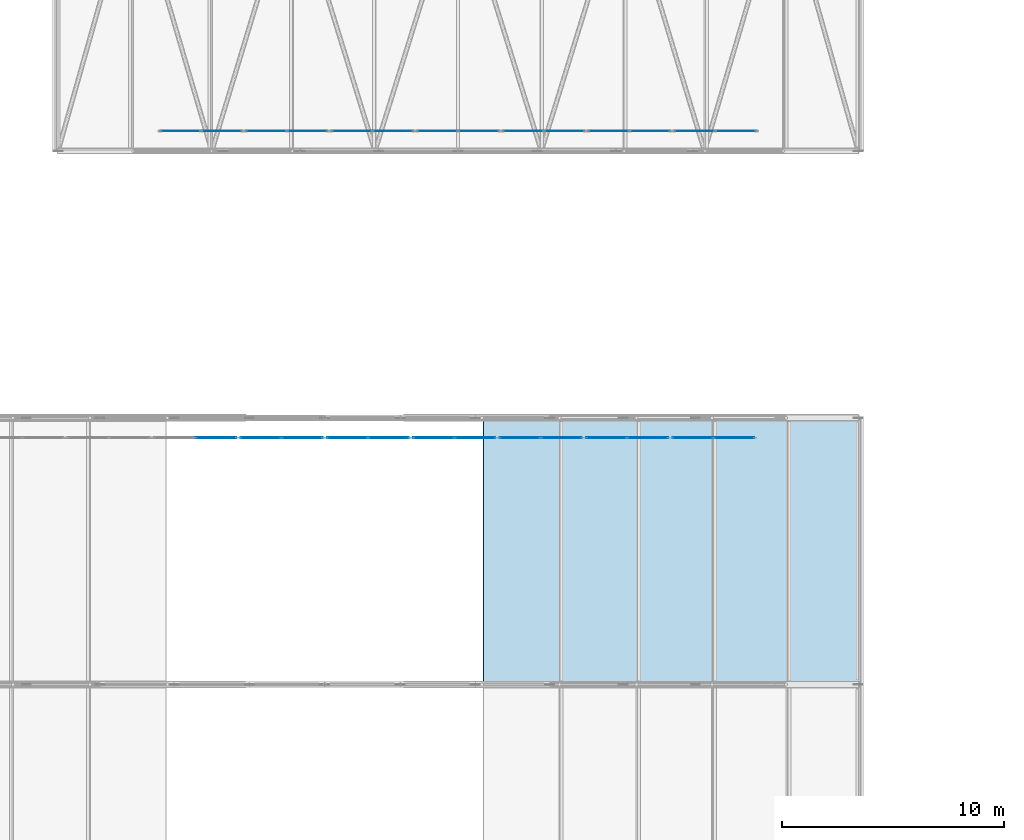
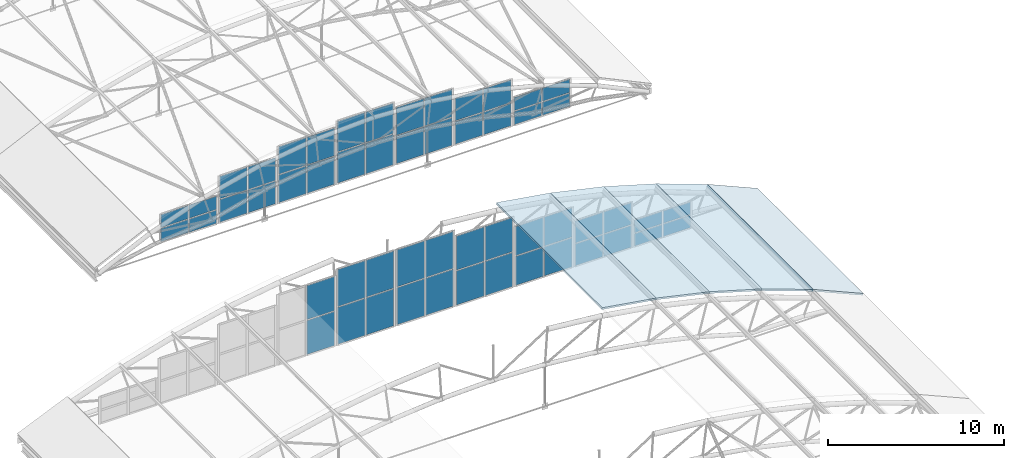
# One storey, part 250 of 321: 54 plates, 5 slabs, 14 elements without a shape of their own.
"""IFC4 building model written with IfcOpenShell, lengths in metres."""

from ifc_helpers import new_model, si_unit, direction, frame, origin, origin_2d, place, context, subcontext, project, spatial, polyline, rectangle, outline, extrude, material, layer, layer_set, type_object, element, aggregate, save


model = new_model("IFC4")

# Units and contexts
model_context = context("Model", 3, precision=1e-05, world=origin(), true_north=direction((0.0, 1.0)))
body_context = subcontext(model_context, "Body", "Model", "MODEL_VIEW")
ifc_project = project(units=[si_unit("LENGTHUNIT", "METRE"), si_unit("AREAUNIT", "SQUARE_METRE"), si_unit("VOLUMEUNIT", "CUBIC_METRE"), si_unit("PLANEANGLEUNIT", "RADIAN"), si_unit("MASSUNIT", "GRAM", prefix="KILO")], contexts=[model_context])

# Site, building, storey
site_placement = place(None, origin())
site = spatial("IfcSite", under=ifc_project, at=site_placement, CompositionType="ELEMENT")
building_placement = place(site_placement, origin())
building = spatial("IfcBuilding", under=site, at=building_placement, Name="Ravi Spectrum Wholesale Market", CompositionType="ELEMENT")
storey_placement = place(building_placement, frame((0.0, 0.0, 10.800048828125)))
storey = spatial("IfcBuildingStorey", under=building, at=storey_placement, Name="L02", CompositionType="ELEMENT", Elevation=10.800048828125)

# Curtain wall, plate
ifc_material_1 = material(Name="Aluminium 6063-T6", Category="aluminium")
ifc_layer_1 = layer(ifc_material_1, 0.14990234375)
ifc_layer_set_1 = layer_set([ifc_layer_1], Name="Aluminium 6063-T6")
curtain_wall_type = type_object("IfcCurtainWallType", Name="Curtain wall 150", PredefinedType="NOTDEFINED", material=ifc_layer_set_1)
curtain_wall_1_placement = place(storey_placement, origin())
curtain_wall_1 = element("IfcCurtainWall", 1, at=curtain_wall_1_placement, inside=storey, type_object=curtain_wall_type, Name="H2-CW-L02-014", PredefinedType="NOTDEFINED")
ifc_material_2 = material(Name="Toughened glass", Category="glass")
ifc_layer_2 = layer(ifc_material_2, 0.028076171875)
ifc_layer_set_2 = layer_set([ifc_layer_2], Name="Toughened glass")
plate_type_1 = type_object("IfcPlateType", Name="Glazing panel 28", PredefinedType="CURTAIN_PANEL", material=ifc_layer_set_2)
plate_1_placement = place(storey_placement, frame((169.107421875, 125.10009765625, 0.06005859375), z_axis=(0.0, 0.0, 1.0), x_axis=(1.0, 0.0, 0.0)))
plate_1 = element("IfcPlate", 2, at=plate_1_placement, type_object=plate_type_1, Name="H2-CW-L02-014 panel 2.1", PredefinedType="CURTAIN_PANEL", context=body_context, shape_type="SweptSolid", body=[
    extrude(rectangle(XDim=1.81298828125, YDim=0.028076171875, at=origin_2d()), origin(), (0.0, 0.0, 1.0), 2.360107421875),
])

# Curtain wall, plates
curtain_wall_2_placement = place(storey_placement, origin())
curtain_wall_2 = element("IfcCurtainWall", 3, at=curtain_wall_2_placement, inside=storey, type_object=curtain_wall_type, Name="H2-CW-L02-015", PredefinedType="NOTDEFINED")
plate_2_placement = place(storey_placement, frame((171.120361328125, 125.10009765625, 0.059814453125), z_axis=(0.0, 0.0, 1.0), x_axis=(1.0, 0.0, 0.0)))
plate_2 = element("IfcPlate", 4, at=plate_2_placement, type_object=plate_type_1, Name="H2-CW-L02-015 panel 1.1", PredefinedType="CURTAIN_PANEL", context=body_context, shape_type="SweptSolid", body=[
    extrude(rectangle(XDim=1.81298828125, YDim=0.028076171875, at=origin_2d()), origin(), (0.0, 0.0, 1.0), 2.56005859375),
])
plate_3_placement = place(storey_placement, frame((172.993408203125, 125.10009765625, 0.059814453125), z_axis=(0.0, 0.0, 1.0), x_axis=(1.0, 0.0, 0.0)))
plate_3 = element("IfcPlate", 5, at=plate_3_placement, type_object=plate_type_1, Name="H2-CW-L02-015 panel 2.1", PredefinedType="CURTAIN_PANEL", context=body_context, shape_type="SweptSolid", body=[
    extrude(rectangle(XDim=1.81298828125, YDim=0.028076171875, at=origin_2d()), origin(), (0.0, 0.0, 1.0), 2.56005859375),
])

curtain_wall_3_placement = place(storey_placement, origin())
curtain_wall_3 = element("IfcCurtainWall", 6, at=curtain_wall_3_placement, inside=storey, type_object=curtain_wall_type, Name="H2-CW-L02-016", PredefinedType="NOTDEFINED")
plate_4_placement = place(storey_placement, frame((175.006591796875, 125.10009765625, 0.059814453125), z_axis=(0.0, 0.0, 1.0), x_axis=(1.0, 0.0, 0.0)))
plate_4 = element("IfcPlate", 7, at=plate_4_placement, type_object=plate_type_1, Name="H2-CW-L02-016 panel 1.1", PredefinedType="CURTAIN_PANEL", context=body_context, shape_type="SweptSolid", body=[
    extrude(rectangle(XDim=1.81298828125, YDim=0.028076171875, at=origin_2d()), origin(), (0.0, 0.0, 1.0), 2.56005859375),
])
plate_5_placement = place(storey_placement, frame((176.879638671875, 125.10009765625, 0.059814453125), z_axis=(0.0, 0.0, 1.0), x_axis=(1.0, 0.0, 0.0)))
plate_5 = element("IfcPlate", 8, at=plate_5_placement, type_object=plate_type_1, Name="H2-CW-L02-016 panel 2.1", PredefinedType="CURTAIN_PANEL", context=body_context, shape_type="SweptSolid", body=[
    extrude(rectangle(XDim=1.81298828125, YDim=0.028076171875, at=origin_2d()), origin(), (0.0, 0.0, 1.0), 2.56005859375),
])

curtain_wall_4_placement = place(storey_placement, origin())
curtain_wall_4 = element("IfcCurtainWall", 9, at=curtain_wall_4_placement, inside=storey, type_object=curtain_wall_type, Name="H2-CW-L02-017", PredefinedType="NOTDEFINED")
plate_6_placement = place(storey_placement, frame((178.892578125, 125.10009765625, 0.06005859375), z_axis=(0.0, 0.0, 1.0), x_axis=(1.0, 0.0, 0.0)))
plate_6 = element("IfcPlate", 10, at=plate_6_placement, type_object=plate_type_1, Name="H2-CW-L02-017 panel 1.1", PredefinedType="CURTAIN_PANEL", context=body_context, shape_type="SweptSolid", body=[
    extrude(rectangle(XDim=1.81298828125, YDim=0.028076171875, at=origin_2d()), origin(), (0.0, 0.0, 1.0), 2.360107421875),
])
plate_7_placement = place(storey_placement, frame((180.765625, 125.10009765625, 0.06005859375), z_axis=(0.0, 0.0, 1.0), x_axis=(1.0, 0.0, 0.0)))
plate_7 = element("IfcPlate", 11, at=plate_7_placement, type_object=plate_type_1, Name="H2-CW-L02-017 panel 2.1", PredefinedType="CURTAIN_PANEL", context=body_context, shape_type="SweptSolid", body=[
    extrude(rectangle(XDim=1.81298828125, YDim=0.028076171875, at=origin_2d()), origin(), (0.0, 0.0, 1.0), 2.360107421875),
])

curtain_wall_5_placement = place(storey_placement, origin())
curtain_wall_5 = element("IfcCurtainWall", 12, at=curtain_wall_5_placement, inside=storey, type_object=curtain_wall_type, Name="H2-CW-L02-018", PredefinedType="NOTDEFINED")
plate_8_placement = place(storey_placement, frame((182.77880859375, 125.10009765625, 0.06005859375), z_axis=(0.0, 0.0, 1.0), x_axis=(1.0, 0.0, 0.0)))
plate_8 = element("IfcPlate", 13, at=plate_8_placement, type_object=plate_type_1, Name="H2-CW-L02-018 panel 1.1", PredefinedType="CURTAIN_PANEL", context=body_context, shape_type="SweptSolid", body=[
    extrude(rectangle(XDim=1.81298828125, YDim=0.028076171875, at=origin_2d()), origin(), (0.0, 0.0, 1.0), 2.010009765625),
])
plate_9_placement = place(storey_placement, frame((184.65185546875, 125.10009765625, 0.06005859375), z_axis=(0.0, 0.0, 1.0), x_axis=(1.0, 0.0, 0.0)))
plate_9 = element("IfcPlate", 14, at=plate_9_placement, type_object=plate_type_1, Name="H2-CW-L02-018 panel 2.1", PredefinedType="CURTAIN_PANEL", context=body_context, shape_type="SweptSolid", body=[
    extrude(rectangle(XDim=1.81298828125, YDim=0.028076171875, at=origin_2d()), origin(), (0.0, 0.0, 1.0), 2.010009765625),
])

curtain_wall_6_placement = place(storey_placement, origin())
curtain_wall_6 = element("IfcCurtainWall", 15, at=curtain_wall_6_placement, inside=storey, type_object=curtain_wall_type, Name="H2-CW-L02-019", PredefinedType="NOTDEFINED")
plate_10_placement = place(storey_placement, frame((186.6650390625, 125.10009765625, 0.06005859375), z_axis=(0.0, 0.0, 1.0), x_axis=(1.0, 0.0, 0.0)))
plate_10 = element("IfcPlate", 16, at=plate_10_placement, type_object=plate_type_1, Name="H2-CW-L02-019 panel 1.1", PredefinedType="CURTAIN_PANEL", context=body_context, shape_type="SweptSolid", body=[
    extrude(rectangle(XDim=1.81298828125, YDim=0.028076171875, at=origin_2d()), origin(), (0.0, 0.0, 1.0), 1.510009765625),
])
plate_11_placement = place(storey_placement, frame((188.5380859375, 125.10009765625, 0.06005859375), z_axis=(0.0, 0.0, 1.0), x_axis=(1.0, 0.0, 0.0)))
plate_11 = element("IfcPlate", 17, at=plate_11_placement, type_object=plate_type_1, Name="H2-CW-L02-019 panel 2.1", PredefinedType="CURTAIN_PANEL", context=body_context, shape_type="SweptSolid", body=[
    extrude(rectangle(XDim=1.81298828125, YDim=0.028076171875, at=origin_2d()), origin(), (0.0, 0.0, 1.0), 1.510009765625),
])

curtain_wall_7_placement = place(storey_placement, origin())
curtain_wall_7 = element("IfcCurtainWall", 18, at=curtain_wall_7_placement, inside=storey, type_object=curtain_wall_type, Name="H2-CW-L02-020", PredefinedType="NOTDEFINED")
plate_12_placement = place(storey_placement, frame((190.551025390625, 125.10009765625, 0.97998046875), z_axis=(0.0, 0.0, 1.0), x_axis=(1.0, 0.0, 0.0)))
plate_12 = element("IfcPlate", 19, at=plate_12_placement, type_object=plate_type_1, Name="H2-CW-L02-020 panel 1.2", PredefinedType="CURTAIN_PANEL", context=body_context, shape_type="SweptSolid", body=[
    extrude(rectangle(XDim=1.81298828125, YDim=0.028076171875, at=origin_2d()), origin(), (0.0, 0.0, 1.0), 0.860107421875),
])
plate_13_placement = place(storey_placement, frame((192.424072265625, 125.10009765625, 0.97998046875), z_axis=(0.0, 0.0, 1.0), x_axis=(1.0, 0.0, 0.0)))
plate_13 = element("IfcPlate", 20, at=plate_13_placement, type_object=plate_type_1, Name="H2-CW-L02-020 panel 2.2", PredefinedType="CURTAIN_PANEL", context=body_context, shape_type="SweptSolid", body=[
    extrude(rectangle(XDim=1.81298828125, YDim=0.028076171875, at=origin_2d()), origin(), (0.0, 0.0, 1.0), 0.860107421875),
])

curtain_wall_8_placement = place(storey_placement, origin())
curtain_wall_8 = element("IfcCurtainWall", 21, at=curtain_wall_8_placement, inside=storey, type_object=curtain_wall_type, Name="H3-CW-L02-001", PredefinedType="NOTDEFINED")
plate_14_placement = place(storey_placement, frame((167.510009765625, 138.89990234375, 0.06005859375), z_axis=(0.0, 0.0, 1.0), x_axis=(1.0, 0.0, 0.0)))
plate_14 = element("IfcPlate", 22, at=plate_14_placement, type_object=plate_type_1, Name="H3-CW-L02-001 panel 1.1", PredefinedType="CURTAIN_PANEL", context=body_context, shape_type="SweptSolid", body=[
    extrude(rectangle(XDim=1.796875, YDim=0.028076171875, at=origin_2d()), origin(), (0.0, 0.0, 1.0), 0.909912109375),
])
plate_15_placement = place(storey_placement, frame((167.510009765625, 138.89990234375, 1.02978515625), z_axis=(0.0, 0.0, 1.0), x_axis=(1.0, 0.0, 0.0)))
plate_15 = element("IfcPlate", 23, at=plate_15_placement, type_object=plate_type_1, Name="H3-CW-L02-001 panel 1.2", PredefinedType="CURTAIN_PANEL", context=body_context, shape_type="SweptSolid", body=[
    extrude(rectangle(XDim=1.796875, YDim=0.028076171875, at=origin_2d()), origin(), (0.0, 0.0, 1.0), 0.909912109375),
])
plate_16_placement = place(storey_placement, frame((169.366943359375, 138.89990234375, 0.06005859375), z_axis=(0.0, 0.0, 1.0), x_axis=(1.0, 0.0, 0.0)))
plate_16 = element("IfcPlate", 24, at=plate_16_placement, type_object=plate_type_1, Name="H3-CW-L02-001 panel 2.1", PredefinedType="CURTAIN_PANEL", context=body_context, shape_type="SweptSolid", body=[
    extrude(rectangle(XDim=1.796875, YDim=0.028076171875, at=origin_2d()), origin(), (0.0, 0.0, 1.0), 0.909912109375),
])
plate_17_placement = place(storey_placement, frame((169.366943359375, 138.89990234375, 1.02978515625), z_axis=(0.0, 0.0, 1.0), x_axis=(1.0, 0.0, 0.0)))
plate_17 = element("IfcPlate", 25, at=plate_17_placement, type_object=plate_type_1, Name="H3-CW-L02-001 panel 2.2", PredefinedType="CURTAIN_PANEL", context=body_context, shape_type="SweptSolid", body=[
    extrude(rectangle(XDim=1.796875, YDim=0.028076171875, at=origin_2d()), origin(), (0.0, 0.0, 1.0), 0.909912109375),
])
aggregate(curtain_wall_8, [plate_14, plate_15, plate_16, plate_17])

curtain_wall_9_placement = place(storey_placement, origin())
curtain_wall_9 = element("IfcCurtainWall", 26, at=curtain_wall_9_placement, inside=storey, type_object=curtain_wall_type, Name="H3-CW-L02-002", PredefinedType="NOTDEFINED")
plate_18_placement = place(storey_placement, frame((171.364013671875, 138.89990234375, 0.059814453125), z_axis=(0.0, 0.0, 1.0), x_axis=(1.0, 0.0, 0.0)))
plate_18 = element("IfcPlate", 27, at=plate_18_placement, type_object=plate_type_1, Name="H3-CW-L02-002 panel 1.1", PredefinedType="CURTAIN_PANEL", context=body_context, shape_type="SweptSolid", body=[
    extrude(rectangle(XDim=1.796875, YDim=0.028076171875, at=origin_2d()), origin(), (0.0, 0.0, 1.0), 1.56005859375),
])
plate_19_placement = place(storey_placement, frame((173.220703125, 138.89990234375, 0.059814453125), z_axis=(0.0, 0.0, 1.0), x_axis=(1.0, 0.0, 0.0)))
plate_19 = element("IfcPlate", 28, at=plate_19_placement, type_object=plate_type_1, Name="H3-CW-L02-002 panel 2.1", PredefinedType="CURTAIN_PANEL", context=body_context, shape_type="SweptSolid", body=[
    extrude(rectangle(XDim=1.796875, YDim=0.028076171875, at=origin_2d()), origin(), (0.0, 0.0, 1.0), 1.56005859375),
])

curtain_wall_10_placement = place(storey_placement, origin())
curtain_wall_10 = element("IfcCurtainWall", 29, at=curtain_wall_10_placement, inside=storey, type_object=curtain_wall_type, Name="H3-CW-L02-003", PredefinedType="NOTDEFINED")
plate_20_placement = place(storey_placement, frame((175.2177734375, 138.89990234375, 0.06005859375), z_axis=(0.0, 0.0, 1.0), x_axis=(1.0, 0.0, 0.0)))
plate_20 = element("IfcPlate", 30, at=plate_20_placement, type_object=plate_type_1, Name="H3-CW-L02-003 panel 1.1", PredefinedType="CURTAIN_PANEL", context=body_context, shape_type="SweptSolid", body=[
    extrude(rectangle(XDim=1.796875, YDim=0.028076171875, at=origin_2d()), origin(), (0.0, 0.0, 1.0), 1.909912109375),
])
plate_21_placement = place(storey_placement, frame((177.07470703125, 138.89990234375, 0.06005859375), z_axis=(0.0, 0.0, 1.0), x_axis=(1.0, 0.0, 0.0)))
plate_21 = element("IfcPlate", 31, at=plate_21_placement, type_object=plate_type_1, Name="H3-CW-L02-003 panel 2.1", PredefinedType="CURTAIN_PANEL", context=body_context, shape_type="SweptSolid", body=[
    extrude(rectangle(XDim=1.796875, YDim=0.028076171875, at=origin_2d()), origin(), (0.0, 0.0, 1.0), 1.909912109375),
])

curtain_wall_11_placement = place(storey_placement, origin())
curtain_wall_11 = element("IfcCurtainWall", 32, at=curtain_wall_11_placement, inside=storey, type_object=curtain_wall_type, Name="H3-CW-L02-004", PredefinedType="NOTDEFINED")
plate_22_placement = place(storey_placement, frame((179.071533203125, 138.89990234375, 0.06005859375), z_axis=(0.0, 0.0, 1.0), x_axis=(1.0, 0.0, 0.0)))
plate_22 = element("IfcPlate", 33, at=plate_22_placement, type_object=plate_type_1, Name="H3-CW-L02-004 panel 1.1", PredefinedType="CURTAIN_PANEL", context=body_context, shape_type="SweptSolid", body=[
    extrude(rectangle(XDim=1.796875, YDim=0.028076171875, at=origin_2d()), origin(), (0.0, 0.0, 1.0), 2.110107421875),
])
plate_23_placement = place(storey_placement, frame((180.928466796875, 138.89990234375, 0.06005859375), z_axis=(0.0, 0.0, 1.0), x_axis=(1.0, 0.0, 0.0)))
plate_23 = element("IfcPlate", 34, at=plate_23_placement, type_object=plate_type_1, Name="H3-CW-L02-004 panel 2.1", PredefinedType="CURTAIN_PANEL", context=body_context, shape_type="SweptSolid", body=[
    extrude(rectangle(XDim=1.796875, YDim=0.028076171875, at=origin_2d()), origin(), (0.0, 0.0, 1.0), 2.110107421875),
])

curtain_wall_12_placement = place(storey_placement, origin())
curtain_wall_12 = element("IfcCurtainWall", 35, at=curtain_wall_12_placement, inside=storey, type_object=curtain_wall_type, Name="H3-CW-L02-005", PredefinedType="NOTDEFINED")
plate_24_placement = place(storey_placement, frame((182.92529296875, 138.89990234375, 0.06005859375), z_axis=(0.0, 0.0, 1.0), x_axis=(1.0, 0.0, 0.0)))
plate_24 = element("IfcPlate", 36, at=plate_24_placement, type_object=plate_type_1, Name="H3-CW-L02-005 panel 1.1", PredefinedType="CURTAIN_PANEL", context=body_context, shape_type="SweptSolid", body=[
    extrude(rectangle(XDim=1.796875, YDim=0.028076171875, at=origin_2d()), origin(), (0.0, 0.0, 1.0), 1.909912109375),
])
plate_25_placement = place(storey_placement, frame((184.7822265625, 138.89990234375, 0.06005859375), z_axis=(0.0, 0.0, 1.0), x_axis=(1.0, 0.0, 0.0)))
plate_25 = element("IfcPlate", 37, at=plate_25_placement, type_object=plate_type_1, Name="H3-CW-L02-005 panel 2.1", PredefinedType="CURTAIN_PANEL", context=body_context, shape_type="SweptSolid", body=[
    extrude(rectangle(XDim=1.796875, YDim=0.028076171875, at=origin_2d()), origin(), (0.0, 0.0, 1.0), 1.909912109375),
])

curtain_wall_13_placement = place(storey_placement, origin())
curtain_wall_13 = element("IfcCurtainWall", 38, at=curtain_wall_13_placement, inside=storey, type_object=curtain_wall_type, Name="H3-CW-L02-006", PredefinedType="NOTDEFINED")
plate_26_placement = place(storey_placement, frame((186.779296875, 138.89990234375, 0.059814453125), z_axis=(0.0, 0.0, 1.0), x_axis=(1.0, 0.0, 0.0)))
plate_26 = element("IfcPlate", 39, at=plate_26_placement, type_object=plate_type_1, Name="H3-CW-L02-006 panel 1.1", PredefinedType="CURTAIN_PANEL", context=body_context, shape_type="SweptSolid", body=[
    extrude(rectangle(XDim=1.796875, YDim=0.028076171875, at=origin_2d()), origin(), (0.0, 0.0, 1.0), 1.56005859375),
])
plate_27_placement = place(storey_placement, frame((188.635986328125, 138.89990234375, 0.059814453125), z_axis=(0.0, 0.0, 1.0), x_axis=(1.0, 0.0, 0.0)))
plate_27 = element("IfcPlate", 40, at=plate_27_placement, type_object=plate_type_1, Name="H3-CW-L02-006 panel 2.1", PredefinedType="CURTAIN_PANEL", context=body_context, shape_type="SweptSolid", body=[
    extrude(rectangle(XDim=1.796875, YDim=0.028076171875, at=origin_2d()), origin(), (0.0, 0.0, 1.0), 1.56005859375),
])

curtain_wall_14_placement = place(storey_placement, origin())
curtain_wall_14 = element("IfcCurtainWall", 41, at=curtain_wall_14_placement, inside=storey, type_object=curtain_wall_type, Name="H3-CW-L02-007", PredefinedType="NOTDEFINED")
plate_28_placement = place(storey_placement, frame((190.633056640625, 138.89990234375, 0.06005859375), z_axis=(0.0, 0.0, 1.0), x_axis=(1.0, 0.0, 0.0)))
plate_28 = element("IfcPlate", 42, at=plate_28_placement, type_object=plate_type_1, Name="H3-CW-L02-007 panel 1.1", PredefinedType="CURTAIN_PANEL", context=body_context, shape_type="SweptSolid", body=[
    extrude(rectangle(XDim=1.796875, YDim=0.028076171875, at=origin_2d()), origin(), (0.0, 0.0, 1.0), 0.909912109375),
])
plate_29_placement = place(storey_placement, frame((190.633056640625, 138.89990234375, 1.02978515625), z_axis=(0.0, 0.0, 1.0), x_axis=(1.0, 0.0, 0.0)))
plate_29 = element("IfcPlate", 43, at=plate_29_placement, type_object=plate_type_1, Name="H3-CW-L02-007 panel 1.2", PredefinedType="CURTAIN_PANEL", context=body_context, shape_type="SweptSolid", body=[
    extrude(rectangle(XDim=1.796875, YDim=0.028076171875, at=origin_2d()), origin(), (0.0, 0.0, 1.0), 0.909912109375),
])
plate_30_placement = place(storey_placement, frame((192.489990234375, 138.89990234375, 0.06005859375), z_axis=(0.0, 0.0, 1.0), x_axis=(1.0, 0.0, 0.0)))
plate_30 = element("IfcPlate", 44, at=plate_30_placement, type_object=plate_type_1, Name="H3-CW-L02-007 panel 2.1", PredefinedType="CURTAIN_PANEL", context=body_context, shape_type="SweptSolid", body=[
    extrude(rectangle(XDim=1.796875, YDim=0.028076171875, at=origin_2d()), origin(), (0.0, 0.0, 1.0), 0.909912109375),
])
plate_31_placement = place(storey_placement, frame((192.489990234375, 138.89990234375, 1.02978515625), z_axis=(0.0, 0.0, 1.0), x_axis=(1.0, 0.0, 0.0)))
plate_31 = element("IfcPlate", 45, at=plate_31_placement, type_object=plate_type_1, Name="H3-CW-L02-007 panel 2.2", PredefinedType="CURTAIN_PANEL", context=body_context, shape_type="SweptSolid", body=[
    extrude(rectangle(XDim=1.796875, YDim=0.028076171875, at=origin_2d()), origin(), (0.0, 0.0, 1.0), 0.909912109375),
])
aggregate(curtain_wall_14, [plate_28, plate_29, plate_30, plate_31])

# Plate
ifc_material_3 = material(Name="Insulated panel")
ifc_layer_3 = layer(ifc_material_3, 0.028076171875)
ifc_layer_set_3 = layer_set([ifc_layer_3], Name="Insulated panel")
plate_type_2 = type_object("IfcPlateType", Name="Opaque insulated panel 28", PredefinedType="CURTAIN_PANEL", material=ifc_layer_set_3)
plate_32_placement = place(storey_placement, frame((169.107421875, 125.10009765625, 2.47998046875), z_axis=(0.0, 0.0, 1.0), x_axis=(1.0, 0.0, 0.0)))
plate_32 = element("IfcPlate", 46, at=plate_32_placement, type_object=plate_type_2, Name="H2-CW-L02-014 panel 2.2", PredefinedType="CURTAIN_PANEL", context=body_context, shape_type="SweptSolid", body=[
    extrude(rectangle(XDim=1.81298828125, YDim=0.028076171875, at=origin_2d()), origin(), (0.0, 0.0, 1.0), 2.360107421875),
])

aggregate(curtain_wall_1, [plate_1, plate_32])

plate_33_placement = place(storey_placement, frame((171.120361328125, 125.10009765625, 2.679931640625), z_axis=(0.0, 0.0, 1.0), x_axis=(1.0, 0.0, 0.0)))
plate_33 = element("IfcPlate", 47, at=plate_33_placement, type_object=plate_type_2, Name="H2-CW-L02-015 panel 1.2", PredefinedType="CURTAIN_PANEL", context=body_context, shape_type="SweptSolid", body=[
    extrude(rectangle(XDim=1.81298828125, YDim=0.028076171875, at=origin_2d()), origin(), (0.0, 0.0, 1.0), 2.56005859375),
])

plate_34_placement = place(storey_placement, frame((172.993408203125, 125.10009765625, 2.679931640625), z_axis=(0.0, 0.0, 1.0), x_axis=(1.0, 0.0, 0.0)))
plate_34 = element("IfcPlate", 48, at=plate_34_placement, type_object=plate_type_2, Name="H2-CW-L02-015 panel 2.2", PredefinedType="CURTAIN_PANEL", context=body_context, shape_type="SweptSolid", body=[
    extrude(rectangle(XDim=1.81298828125, YDim=0.028076171875, at=origin_2d()), origin(), (0.0, 0.0, 1.0), 2.56005859375),
])

aggregate(curtain_wall_2, [plate_2, plate_33, plate_3, plate_34])

plate_35_placement = place(storey_placement, frame((175.006591796875, 125.10009765625, 2.679931640625), z_axis=(0.0, 0.0, 1.0), x_axis=(1.0, 0.0, 0.0)))
plate_35 = element("IfcPlate", 49, at=plate_35_placement, type_object=plate_type_2, Name="H2-CW-L02-016 panel 1.2", PredefinedType="CURTAIN_PANEL", context=body_context, shape_type="SweptSolid", body=[
    extrude(rectangle(XDim=1.81298828125, YDim=0.028076171875, at=origin_2d()), origin(), (0.0, 0.0, 1.0), 2.56005859375),
])

plate_36_placement = place(storey_placement, frame((176.879638671875, 125.10009765625, 2.679931640625), z_axis=(0.0, 0.0, 1.0), x_axis=(1.0, 0.0, 0.0)))
plate_36 = element("IfcPlate", 50, at=plate_36_placement, type_object=plate_type_2, Name="H2-CW-L02-016 panel 2.2", PredefinedType="CURTAIN_PANEL", context=body_context, shape_type="SweptSolid", body=[
    extrude(rectangle(XDim=1.81298828125, YDim=0.028076171875, at=origin_2d()), origin(), (0.0, 0.0, 1.0), 2.56005859375),
])

aggregate(curtain_wall_3, [plate_4, plate_35, plate_5, plate_36])

plate_37_placement = place(storey_placement, frame((178.892578125, 125.10009765625, 2.47998046875), z_axis=(0.0, 0.0, 1.0), x_axis=(1.0, 0.0, 0.0)))
plate_37 = element("IfcPlate", 51, at=plate_37_placement, type_object=plate_type_2, Name="H2-CW-L02-017 panel 1.2", PredefinedType="CURTAIN_PANEL", context=body_context, shape_type="SweptSolid", body=[
    extrude(rectangle(XDim=1.81298828125, YDim=0.028076171875, at=origin_2d()), origin(), (0.0, 0.0, 1.0), 2.360107421875),
])

plate_38_placement = place(storey_placement, frame((180.765625, 125.10009765625, 2.47998046875), z_axis=(0.0, 0.0, 1.0), x_axis=(1.0, 0.0, 0.0)))
plate_38 = element("IfcPlate", 52, at=plate_38_placement, type_object=plate_type_2, Name="H2-CW-L02-017 panel 2.2", PredefinedType="CURTAIN_PANEL", context=body_context, shape_type="SweptSolid", body=[
    extrude(rectangle(XDim=1.81298828125, YDim=0.028076171875, at=origin_2d()), origin(), (0.0, 0.0, 1.0), 2.360107421875),
])

aggregate(curtain_wall_4, [plate_6, plate_37, plate_7, plate_38])

plate_39_placement = place(storey_placement, frame((182.77880859375, 125.10009765625, 2.1298828125), z_axis=(0.0, 0.0, 1.0), x_axis=(1.0, 0.0, 0.0)))
plate_39 = element("IfcPlate", 53, at=plate_39_placement, type_object=plate_type_2, Name="H2-CW-L02-018 panel 1.2", PredefinedType="CURTAIN_PANEL", context=body_context, shape_type="SweptSolid", body=[
    extrude(rectangle(XDim=1.81298828125, YDim=0.028076171875, at=origin_2d()), origin(), (0.0, 0.0, 1.0), 2.010009765625),
])

plate_40_placement = place(storey_placement, frame((184.65185546875, 125.10009765625, 2.1298828125), z_axis=(0.0, 0.0, 1.0), x_axis=(1.0, 0.0, 0.0)))
plate_40 = element("IfcPlate", 54, at=plate_40_placement, type_object=plate_type_2, Name="H2-CW-L02-018 panel 2.2", PredefinedType="CURTAIN_PANEL", context=body_context, shape_type="SweptSolid", body=[
    extrude(rectangle(XDim=1.81298828125, YDim=0.028076171875, at=origin_2d()), origin(), (0.0, 0.0, 1.0), 2.010009765625),
])

aggregate(curtain_wall_5, [plate_8, plate_39, plate_9, plate_40])

plate_41_placement = place(storey_placement, frame((186.6650390625, 125.10009765625, 1.6298828125), z_axis=(0.0, 0.0, 1.0), x_axis=(1.0, 0.0, 0.0)))
plate_41 = element("IfcPlate", 55, at=plate_41_placement, type_object=plate_type_2, Name="H2-CW-L02-019 panel 1.2", PredefinedType="CURTAIN_PANEL", context=body_context, shape_type="SweptSolid", body=[
    extrude(rectangle(XDim=1.81298828125, YDim=0.028076171875, at=origin_2d()), origin(), (0.0, 0.0, 1.0), 1.510009765625),
])

plate_42_placement = place(storey_placement, frame((188.5380859375, 125.10009765625, 1.6298828125), z_axis=(0.0, 0.0, 1.0), x_axis=(1.0, 0.0, 0.0)))
plate_42 = element("IfcPlate", 56, at=plate_42_placement, type_object=plate_type_2, Name="H2-CW-L02-019 panel 2.2", PredefinedType="CURTAIN_PANEL", context=body_context, shape_type="SweptSolid", body=[
    extrude(rectangle(XDim=1.81298828125, YDim=0.028076171875, at=origin_2d()), origin(), (0.0, 0.0, 1.0), 1.510009765625),
])

aggregate(curtain_wall_6, [plate_10, plate_41, plate_11, plate_42])

plate_43_placement = place(storey_placement, frame((190.551025390625, 125.10009765625, 0.06005859375), z_axis=(0.0, 0.0, 1.0), x_axis=(1.0, 0.0, 0.0)))
plate_43 = element("IfcPlate", 57, at=plate_43_placement, type_object=plate_type_2, Name="H2-CW-L02-020 panel 1.1", PredefinedType="CURTAIN_PANEL", context=body_context, shape_type="SweptSolid", body=[
    extrude(rectangle(XDim=1.81298828125, YDim=0.028076171875, at=origin_2d()), origin(), (0.0, 0.0, 1.0), 0.860107421875),
])

plate_44_placement = place(storey_placement, frame((192.424072265625, 125.10009765625, 0.06005859375), z_axis=(0.0, 0.0, 1.0), x_axis=(1.0, 0.0, 0.0)))
plate_44 = element("IfcPlate", 58, at=plate_44_placement, type_object=plate_type_2, Name="H2-CW-L02-020 panel 2.1", PredefinedType="CURTAIN_PANEL", context=body_context, shape_type="SweptSolid", body=[
    extrude(rectangle(XDim=1.81298828125, YDim=0.028076171875, at=origin_2d()), origin(), (0.0, 0.0, 1.0), 0.860107421875),
])

aggregate(curtain_wall_7, [plate_43, plate_12, plate_44, plate_13])

plate_45_placement = place(storey_placement, frame((171.364013671875, 138.89990234375, 1.679931640625), z_axis=(0.0, 0.0, 1.0), x_axis=(1.0, 0.0, 0.0)))
plate_45 = element("IfcPlate", 59, at=plate_45_placement, type_object=plate_type_2, Name="H3-CW-L02-002 panel 1.2", PredefinedType="CURTAIN_PANEL", context=body_context, shape_type="SweptSolid", body=[
    extrude(rectangle(XDim=1.796875, YDim=0.028076171875, at=origin_2d()), origin(), (0.0, 0.0, 1.0), 1.56005859375),
])

plate_46_placement = place(storey_placement, frame((173.220703125, 138.89990234375, 1.679931640625), z_axis=(0.0, 0.0, 1.0), x_axis=(1.0, 0.0, 0.0)))
plate_46 = element("IfcPlate", 60, at=plate_46_placement, type_object=plate_type_2, Name="H3-CW-L02-002 panel 2.2", PredefinedType="CURTAIN_PANEL", context=body_context, shape_type="SweptSolid", body=[
    extrude(rectangle(XDim=1.796875, YDim=0.028076171875, at=origin_2d()), origin(), (0.0, 0.0, 1.0), 1.56005859375),
])

aggregate(curtain_wall_9, [plate_18, plate_45, plate_19, plate_46])

plate_47_placement = place(storey_placement, frame((175.2177734375, 138.89990234375, 2.02978515625), z_axis=(0.0, 0.0, 1.0), x_axis=(1.0, 0.0, 0.0)))
plate_47 = element("IfcPlate", 61, at=plate_47_placement, type_object=plate_type_2, Name="H3-CW-L02-003 panel 1.2", PredefinedType="CURTAIN_PANEL", context=body_context, shape_type="SweptSolid", body=[
    extrude(rectangle(XDim=1.796875, YDim=0.028076171875, at=origin_2d()), origin(), (0.0, 0.0, 1.0), 1.909912109375),
])

plate_48_placement = place(storey_placement, frame((177.07470703125, 138.89990234375, 2.02978515625), z_axis=(0.0, 0.0, 1.0), x_axis=(1.0, 0.0, 0.0)))
plate_48 = element("IfcPlate", 62, at=plate_48_placement, type_object=plate_type_2, Name="H3-CW-L02-003 panel 2.2", PredefinedType="CURTAIN_PANEL", context=body_context, shape_type="SweptSolid", body=[
    extrude(rectangle(XDim=1.796875, YDim=0.028076171875, at=origin_2d()), origin(), (0.0, 0.0, 1.0), 1.909912109375),
])

aggregate(curtain_wall_10, [plate_20, plate_47, plate_21, plate_48])

plate_49_placement = place(storey_placement, frame((179.071533203125, 138.89990234375, 2.22998046875), z_axis=(0.0, 0.0, 1.0), x_axis=(1.0, 0.0, 0.0)))
plate_49 = element("IfcPlate", 63, at=plate_49_placement, type_object=plate_type_2, Name="H3-CW-L02-004 panel 1.2", PredefinedType="CURTAIN_PANEL", context=body_context, shape_type="SweptSolid", body=[
    extrude(rectangle(XDim=1.796875, YDim=0.028076171875, at=origin_2d()), origin(), (0.0, 0.0, 1.0), 2.110107421875),
])

plate_50_placement = place(storey_placement, frame((180.928466796875, 138.89990234375, 2.22998046875), z_axis=(0.0, 0.0, 1.0), x_axis=(1.0, 0.0, 0.0)))
plate_50 = element("IfcPlate", 64, at=plate_50_placement, type_object=plate_type_2, Name="H3-CW-L02-004 panel 2.2", PredefinedType="CURTAIN_PANEL", context=body_context, shape_type="SweptSolid", body=[
    extrude(rectangle(XDim=1.796875, YDim=0.028076171875, at=origin_2d()), origin(), (0.0, 0.0, 1.0), 2.110107421875),
])

aggregate(curtain_wall_11, [plate_22, plate_49, plate_23, plate_50])

plate_51_placement = place(storey_placement, frame((182.92529296875, 138.89990234375, 2.02978515625), z_axis=(0.0, 0.0, 1.0), x_axis=(1.0, 0.0, 0.0)))
plate_51 = element("IfcPlate", 65, at=plate_51_placement, type_object=plate_type_2, Name="H3-CW-L02-005 panel 1.2", PredefinedType="CURTAIN_PANEL", context=body_context, shape_type="SweptSolid", body=[
    extrude(rectangle(XDim=1.796875, YDim=0.028076171875, at=origin_2d()), origin(), (0.0, 0.0, 1.0), 1.909912109375),
])

plate_52_placement = place(storey_placement, frame((184.7822265625, 138.89990234375, 2.02978515625), z_axis=(0.0, 0.0, 1.0), x_axis=(1.0, 0.0, 0.0)))
plate_52 = element("IfcPlate", 66, at=plate_52_placement, type_object=plate_type_2, Name="H3-CW-L02-005 panel 2.2", PredefinedType="CURTAIN_PANEL", context=body_context, shape_type="SweptSolid", body=[
    extrude(rectangle(XDim=1.796875, YDim=0.028076171875, at=origin_2d()), origin(), (0.0, 0.0, 1.0), 1.909912109375),
])

aggregate(curtain_wall_12, [plate_24, plate_51, plate_25, plate_52])

plate_53_placement = place(storey_placement, frame((186.779296875, 138.89990234375, 1.679931640625), z_axis=(0.0, 0.0, 1.0), x_axis=(1.0, 0.0, 0.0)))
plate_53 = element("IfcPlate", 67, at=plate_53_placement, type_object=plate_type_2, Name="H3-CW-L02-006 panel 1.2", PredefinedType="CURTAIN_PANEL", context=body_context, shape_type="SweptSolid", body=[
    extrude(rectangle(XDim=1.796875, YDim=0.028076171875, at=origin_2d()), origin(), (0.0, 0.0, 1.0), 1.56005859375),
])

plate_54_placement = place(storey_placement, frame((188.635986328125, 138.89990234375, 1.679931640625), z_axis=(0.0, 0.0, 1.0), x_axis=(1.0, 0.0, 0.0)))
plate_54 = element("IfcPlate", 68, at=plate_54_placement, type_object=plate_type_2, Name="H3-CW-L02-006 panel 2.2", PredefinedType="CURTAIN_PANEL", context=body_context, shape_type="SweptSolid", body=[
    extrude(rectangle(XDim=1.796875, YDim=0.028076171875, at=origin_2d()), origin(), (0.0, 0.0, 1.0), 1.56005859375),
])

aggregate(curtain_wall_13, [plate_26, plate_53, plate_27, plate_54])

# Slabs
ifc_material_4 = material(Name="Steel S355", Category="steel")
ifc_layer_4 = layer(ifc_material_4, 0.1201171875)
ifc_layer_set_4 = layer_set([ifc_layer_4], Name="Steel S355")
slab_type = type_object("IfcSlabType", Name="Roof panel 120", PredefinedType="ROOF", material=ifc_layer_set_4)
slab_1_placement = place(storey_placement, frame((181.140869140625, 114.0, 5.49951171875), z_axis=(0.157440984261, 0.0, 0.987528397807), x_axis=(0.987528397807, 0.0, -0.157440984261)))
element("IfcSlab", 69, at=slab_1_placement, inside=storey, type_object=slab_type, Name="H2-SL-L02-036", PredefinedType="ROOF", context=body_context, shape_type="SweptSolid", body=[
    extrude(outline(polyline([(0.0, 0.0), (3.569665937915445, 0.0), (3.569665937915445, 12.0), (0.0, 12.0), (0.0, 0.0)])), origin(), (0.0, 0.0, -1.0), 0.1201171875),
])
slab_2_placement = place(storey_placement, frame((184.673583984375, 114.0, 4.93603515625), z_axis=(0.219536606046, 0.0, 0.975604263319), x_axis=(0.975604263319, 0.0, -0.219536606046)))
element("IfcSlab", 70, at=slab_2_placement, inside=storey, type_object=slab_type, Name="H2-SL-L02-037", PredefinedType="ROOF", context=body_context, shape_type="SweptSolid", body=[
    extrude(outline(polyline([(0.0, 0.0), (3.5697527640747637, 0.0), (3.5697527640747637, 12.0), (0.0, 12.0), (0.0, 0.0)])), origin(), (0.0, 0.0, -1.0), 0.1201171875),
])
slab_3_placement = place(storey_placement, frame((188.163818359375, 114.0, 4.150634765625), z_axis=(0.280740497121, 0.0, 0.959783711716), x_axis=(0.959783711716, 0.0, -0.280740497121)))
element("IfcSlab", 71, at=slab_3_placement, inside=storey, type_object=slab_type, Name="H2-SL-L02-038", PredefinedType="ROOF", context=body_context, shape_type="SweptSolid", body=[
    extrude(outline(polyline([(0.0, 0.0), (3.569835046609062, 0.0), (3.569835046609062, 12.0), (0.0, 12.0), (0.0, 0.0)])), origin(), (0.0, 0.0, -1.0), 0.1201171875),
])
slab_4_placement = place(storey_placement, frame((191.59716796875, 114.0, 3.14599609375), z_axis=(0.340781945356, 0.0, 0.940142364602), x_axis=(0.940142364602, 0.0, -0.340781945356)))
element("IfcSlab", 72, at=slab_4_placement, inside=storey, type_object=slab_type, Name="H2-SL-L02-039", PredefinedType="ROOF", context=body_context, shape_type="SweptSolid", body=[
    extrude(outline(polyline([(0.0, 0.0), (3.5698861132549333, 0.0), (3.5698861132549333, 12.0), (0.0, 12.0), (0.0, 0.0)])), origin(), (0.0, 0.0, -1.0), 0.1201171875),
])
slab_5_placement = place(storey_placement, frame((194.96044921875, 114.0, 1.926513671875), z_axis=(0.399541211393, 0.0, 0.916715234082), x_axis=(0.916715234082, 0.0, -0.399541211393)))
element("IfcSlab", 73, at=slab_5_placement, inside=storey, type_object=slab_type, Name="H2-SL-L02-040", PredefinedType="ROOF", context=body_context, shape_type="SweptSolid", body=[
    extrude(outline(polyline([(0.0, 0.0), (3.5697682506341324, 0.0), (3.5697682506341324, 12.0), (0.0, 12.0), (0.0, 0.0)])), origin(), (0.0, 0.0, -1.0), 0.1201171875),
])

save(model, "model.ifc")
